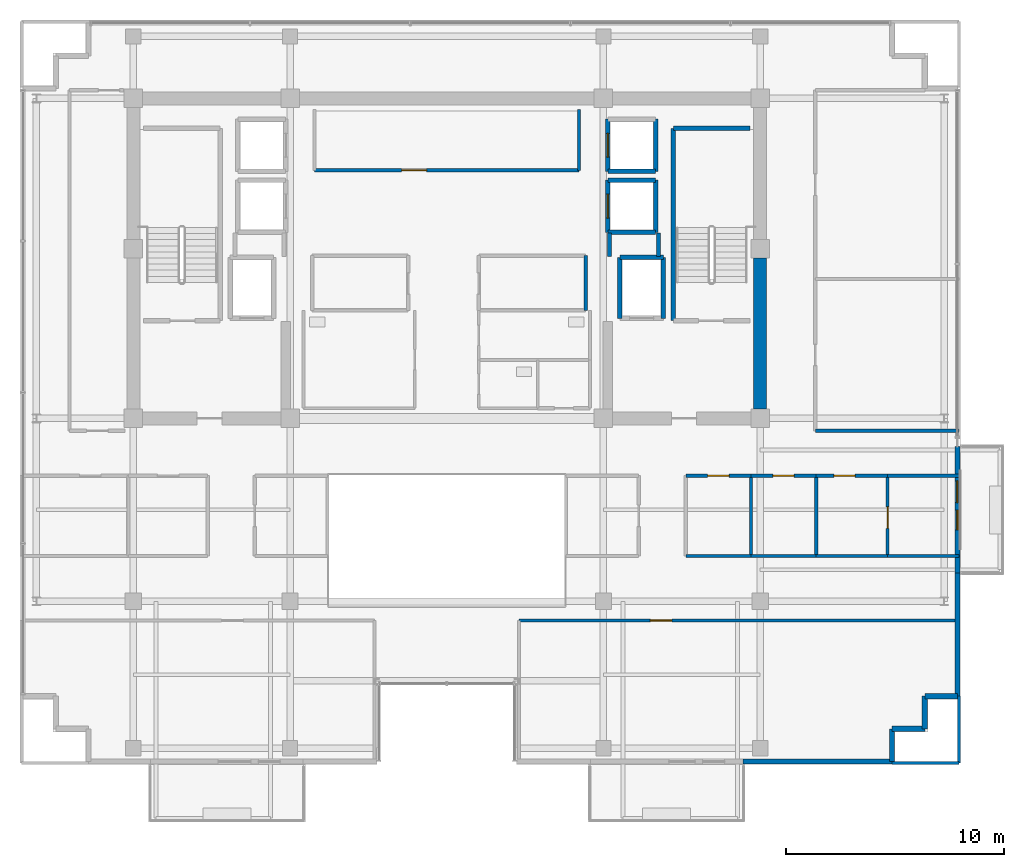
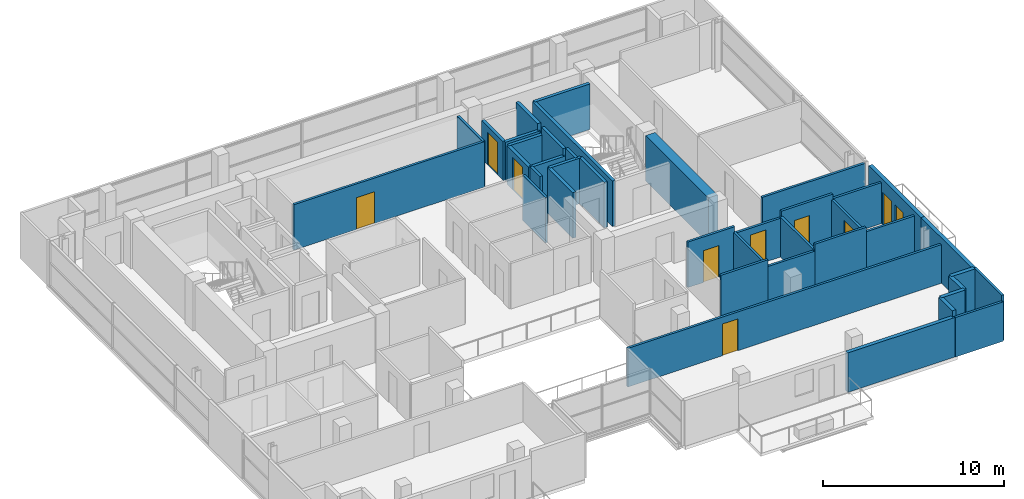
# One storey, part 17 of 22: 40 walls, 9 doors, 1 window, 10 openings.
"""IFC4 building model written with IfcOpenShell, lengths in metres."""

from ifc_helpers import new_model, si_unit, direction, frame, frame_2d, origin, place, context, subcontext, project, spatial, rectangle, extrude, source, transform, mapped, material, layer, layer_set, type_object, element, fill, save


model = new_model("IFC4")

# Units and contexts
model_context = context("Model", 3, precision=1e-05, world=origin(), true_north=direction((0.0, 1.0)))
body_context = subcontext(model_context, "Body", "Model", "MODEL_VIEW")
ifc_project = project(units=[si_unit("LENGTHUNIT", "METRE"), si_unit("AREAUNIT", "SQUARE_METRE"), si_unit("VOLUMEUNIT", "CUBIC_METRE"), si_unit("PLANEANGLEUNIT", "RADIAN"), si_unit("MASSUNIT", "GRAM", prefix="KILO")], contexts=[model_context])

# Site, building, storey
site_placement = place(None, origin())
site = spatial("IfcSite", under=ifc_project, at=site_placement, CompositionType="ELEMENT")
building_placement = place(site_placement, origin())
building = spatial("IfcBuilding", under=site, at=building_placement, Name="Zarnakvel Exchange Tower", CompositionType="ELEMENT")
storey_placement = place(building_placement, frame((0.0, 0.0, 251.800048828125)))
storey = spatial("IfcBuildingStorey", under=building, at=storey_placement, Name="L71", CompositionType="ELEMENT", Elevation=251.800048828125)

# Wall
ifc_material_1 = material(Name="Concrete C50/60", Category="concrete")
ifc_layer_1 = layer(ifc_material_1, 0.60009765625)
ifc_layer_set_1 = layer_set([ifc_layer_1], Name="Concrete C50/60")
wall_type_1 = type_object("IfcWallType", Name="CW-C5", PredefinedType="SHEAR", material=ifc_layer_set_1)
wall_1_placement = place(storey_placement, frame((14.39990234375, -0.77490234375, 0.0), z_axis=(0.0, 0.0, 1.0), x_axis=(0.0, 1.0, 0.0)))
element("IfcWall", 1, at=wall_1_placement, inside=storey, type_object=wall_type_1, Name="L71 Rear Core Shear Wall E1 (CW-C5)", PredefinedType="SHEAR", context=body_context, shape_type="SweptSolid", body=[
    extrude(rectangle(XDim=6.949951171875, YDim=0.60009765625, at=frame_2d((3.47509765625, 0.0))), origin(), (0.0, 0.0, 1.0), 3.074951171875),
])

# Wall, openings, door, window
ifc_material_2 = material(Name="Precast concrete C40/50", Category="concrete")
ifc_layer_2 = layer(ifc_material_2, 0.239990234375)
ifc_layer_set_2 = layer_set([ifc_layer_2], Name="Precast concrete C40/50")
wall_type_2 = type_object("IfcWallType", Name="EW-02", PredefinedType="SOLIDWALL", material=ifc_layer_set_2)
wall_2_placement = place(storey_placement, frame((23.4599609375, -2.5, 0.0), z_axis=(0.0, 0.0, 1.0), x_axis=(0.0, -1.0, 0.0)))
wall_2 = element("IfcWall", 2, at=wall_2_placement, inside=storey, type_object=wall_type_2, Name="L71 Exterior Precast Spandrel Wall EW-BAL-L71-E (EW-02)", PredefinedType="SOLIDWALL", context=body_context, shape_type="SweptSolid", body=[
    extrude(rectangle(XDim=5.800048828125, YDim=0.239990234375, at=frame_2d((2.89990234375, 0.0))), origin(), (0.0, 0.0, 1.0), 3.074951171875),
])
opening_1_placement = place(wall_2_placement, frame((1.56591796875, 0.0, 0.0)))
opening_1 = element("IfcOpeningElement", 3, at=opening_1_placement, cuts=wall_2, Name="Opening BD-L71-03", PredefinedType="OPENING", context=body_context, shape_type="SweptSolid", body=[
    extrude(rectangle(XDim=1.0, YDim=2.199951171875, at=frame_2d((0.5, 1.10009765625))), frame((0.0, 0.1298828125, 0.0), z_axis=(0.0, -1.0, 0.0), x_axis=(1.0, 0.0, 0.0)), (0.0, 0.0, 1.0), 0.260009765625),
])
opening_2_placement = place(wall_2_placement, frame((2.916015625, 0.0, 0.85009765625)))
opening_2 = element("IfcOpeningElement", 4, at=opening_2_placement, cuts=wall_2, Name="Opening WN-06", PredefinedType="OPENING", context=body_context, shape_type="SweptSolid", body=[
    extrude(rectangle(XDim=0.89990234375, YDim=1.35009765625, at=frame_2d((0.449951171875, 0.675048828125))), frame((0.0, 0.1298828125, 0.0), z_axis=(0.0, -1.0, 0.0), x_axis=(1.0, 0.0, 0.0)), (0.0, 0.0, 1.0), 0.260009765625),
])
ifc_material_3 = material(Name="Architectural Bronze Anodised Aluminium", Category="aluminium")
door_type_1 = type_object("IfcDoorType", Name="DT-09", OperationType="NOTDEFINED", PredefinedType="DOOR", material=ifc_material_3)
shared_shape_1 = source(origin(), body_context, "Body", "SweptSolid", [
    extrude(rectangle(XDim=1.0, YDim=2.199951171875, at=frame_2d((0.5, 1.10009765625))), frame((0.0, 0.02490234375, 0.0), z_axis=(0.0, -1.0, 0.0), x_axis=(1.0, 0.0, 0.0)), (0.0, 0.0, 1.0), 0.050048828125),
])
door_1_placement = place(opening_1_placement, origin())
door_1 = element("IfcDoor", 5, at=door_1_placement, inside=storey, type_object=door_type_1, Name="L71 Planted Loggia Balcony Door BD-L71-03", OperationType="SINGLE_SWING_LEFT", OverallHeight=2.199951171875, OverallWidth=1.0, PredefinedType="DOOR", context=body_context, shape_type="MappedRepresentation", body=[
    mapped(shared_shape_1, transform((0.0, 0.0, 0.0), x_axis=(1.0, 0.0, 0.0), y_axis=(0.0, 1.0, 0.0), z_axis=(0.0, 0.0, 1.0), scale=1.0)),
])
fill(opening_1, door_1)
ifc_material_4 = material(Name="Double Low-E Laminated Vision Glass", Category="glass")
window_type = type_object("IfcWindowType", Name="WN-06", PartitioningType="SINGLE_PANEL", PredefinedType="WINDOW", material=ifc_material_4)
shared_shape_2 = source(origin(), body_context, "Body", "SweptSolid", [
    extrude(rectangle(XDim=0.89990234375, YDim=1.35009765625, at=frame_2d((0.449951171875, 0.675048828125))), frame((0.0, 0.030029296875, 0.0), z_axis=(0.0, -1.0, 0.0), x_axis=(1.0, 0.0, 0.0)), (0.0, 0.0, 1.0), 0.06005859375),
])
window_placement = place(opening_2_placement, origin())
window = element("IfcWindow", 6, at=window_placement, inside=storey, type_object=window_type, Name="L71 Loggia Daylight Window (WN-06)", OverallHeight=1.35009765625, OverallWidth=0.89990234375, PartitioningType="SINGLE_PANEL", PredefinedType="WINDOW", context=body_context, shape_type="MappedRepresentation", body=[
    mapped(shared_shape_2, transform((0.0, 0.0, 0.0), x_axis=(1.0, 0.0, 0.0), y_axis=(0.0, 1.0, 0.0), z_axis=(0.0, 0.0, 1.0), scale=1.0)),
])
fill(opening_2, window)

# Walls
wall_3_placement = place(storey_placement, frame((23.4599609375, -13.9599609375, 0.0), z_axis=(0.0, 0.0, 1.0), x_axis=(0.0, 1.0, 0.0)))
element("IfcWall", 7, at=wall_3_placement, inside=storey, type_object=wall_type_2, Name="L71 Exterior Precast Spandrel Wall EWC-L71-10 (EW-02)", PredefinedType="SOLIDWALL", context=body_context, shape_type="SweptSolid", body=[
    extrude(rectangle(XDim=5.659912109375, YDim=0.239990234375, at=frame_2d((2.830078125, 0.0))), origin(), (0.0, 0.0, 1.0), 3.074951171875),
])
for number, where, z_axis, x_axis, name in (
    (8, (21.9599609375, -13.9599609375, 0.0), (0.0, 0.0, 1.0), (1.0, 0.0, 0.0), "L71 Exterior Precast Spandrel Wall EWC-L71-11 (EW-02)"),
    (9, (21.9599609375, -15.4599609375, 0.0), (0.0, 0.0, 1.0), (0.0, 1.0, 0.0), "L71 Exterior Precast Spandrel Wall EWC-L71-12 (EW-02)"),
    (10, (20.4599609375, -15.4599609375, 0.0), (0.0, 0.0, 1.0), (1.0, 0.0, 0.0), "L71 Exterior Precast Spandrel Wall EWC-L71-13 (EW-02)"),
    (11, (20.4599609375, -16.9599609375, 0.0), (0.0, 0.0, 1.0), (0.0, 1.0, 0.0), "L71 Exterior Precast Spandrel Wall EWC-L71-14 (EW-02)"),
):
    element("IfcWall", number, at=place(storey_placement, frame(where, z_axis=z_axis, x_axis=x_axis)), inside=storey, type_object=wall_type_2, Name=name, PredefinedType="SOLIDWALL", context=body_context, shape_type="SweptSolid", body=[
        extrude(rectangle(XDim=1.5, YDim=0.239990234375, at=frame_2d((0.75, 0.0))), origin(), (0.0, 0.0, 1.0), 3.074951171875),
    ])
wall_4_placement = place(storey_placement, frame((13.60009765625, -16.9599609375, 0.0), z_axis=(0.0, 0.0, 1.0), x_axis=(1.0, 0.0, 0.0)))
element("IfcWall", 12, at=wall_4_placement, inside=storey, type_object=wall_type_2, Name="L71 Exterior Precast Spandrel Wall EWC-L71-15 (EW-02)", PredefinedType="SOLIDWALL", context=body_context, shape_type="SweptSolid", body=[
    extrude(rectangle(XDim=6.85986328125, YDim=0.239990234375, at=frame_2d((3.429931640625, 0.0))), origin(), (0.0, 0.0, 1.0), 2.6650390625),
])

# Wall, opening, door
ifc_material_5 = material(Name="Fire-Rated Gypsum Stud Partition", Category="gypsum")
ifc_layer_3 = layer(ifc_material_5, 0.14990234375)
ifc_layer_set_3 = layer_set([ifc_layer_3], Name="Fire-Rated Gypsum Stud Partition")
wall_type_3 = type_object("IfcWallType", Name="PT-01", PredefinedType="PARTITIONING", material=ifc_layer_set_3)
wall_5_placement = place(storey_placement, frame((6.080078125, 10.199951171875, 0.0), z_axis=(0.0, 0.0, 1.0), x_axis=(-1.0, 0.0, 0.0)))
wall_5 = element("IfcWall", 13, at=wall_5_placement, inside=storey, type_object=wall_type_3, Name="L71 Partition Wall PWALL-L71-011 (PT-01)", PredefinedType="PARTITIONING", context=body_context, shape_type="SweptSolid", body=[
    extrude(rectangle(XDim=12.16015625, YDim=0.14990234375, at=frame_2d((6.080078125, 0.0))), origin(), (0.0, 0.0, 1.0), 3.074951171875),
])
opening_3_placement = place(wall_5_placement, frame((7.0048828125, 0.0, 0.0)))
opening_3 = element("IfcOpeningElement", 14, at=opening_3_placement, cuts=wall_5, Name="Opening D-L71-05", PredefinedType="OPENING", context=body_context, shape_type="SweptSolid", body=[
    extrude(rectangle(XDim=1.14990234375, YDim=2.14990234375, at=frame_2d((0.574951171875, 1.074951171875))), frame((0.0, 0.0849609375, 0.0), z_axis=(0.0, -1.0, 0.0), x_axis=(1.0, 0.0, 0.0)), (0.0, 0.0, 1.0), 0.169921875),
])
ifc_material_6 = material(Name="Painted Galvanised Steel S355", Category="steel")
door_type_2 = type_object("IfcDoorType", Name="DT-04", OperationType="NOTDEFINED", PredefinedType="DOOR", material=ifc_material_6)
shared_shape_3 = source(origin(), body_context, "Body", "SweptSolid", [
    extrude(rectangle(XDim=1.14990234375, YDim=2.14990234375, at=frame_2d((0.574951171875, 1.074951171875))), frame((0.0, 0.02490234375, 0.0), z_axis=(0.0, -1.0, 0.0), x_axis=(1.0, 0.0, 0.0)), (0.0, 0.0, 1.0), 0.050048828125),
])
door_2_placement = place(opening_3_placement, origin())
door_2 = element("IfcDoor", 15, at=door_2_placement, inside=storey, type_object=door_type_2, Name="L71 Market Data Archive Suite Door D-L71-05", OperationType="SINGLE_SWING_LEFT", OverallHeight=2.14990234375, OverallWidth=1.14990234375, PredefinedType="DOOR", context=body_context, shape_type="MappedRepresentation", body=[
    mapped(shared_shape_3, transform((0.0, 0.0, 0.0), x_axis=(1.0, 0.0, 0.0), y_axis=(0.0, 1.0, 0.0), z_axis=(0.0, 0.0, 1.0), scale=1.0)),
])
fill(opening_3, door_2)

# Walls
wall_6_placement = place(storey_placement, frame((6.080078125, 13.0, 0.0), z_axis=(0.0, 0.0, 1.0), x_axis=(0.0, -1.0, 0.0)))
element("IfcWall", 16, at=wall_6_placement, inside=storey, type_object=wall_type_3, Name="L71 Partition Wall PWALL-L71-013 (PT-01)", PredefinedType="PARTITIONING", context=body_context, shape_type="SweptSolid", body=[
    extrude(rectangle(XDim=2.800048828125, YDim=0.14990234375, at=frame_2d((1.39990234375, 0.0))), origin(), (0.0, 0.0, 1.0), 3.074951171875),
])
wall_7_placement = place(storey_placement, frame((6.3798828125, 6.280029296875, 0.0), z_axis=(0.0, 0.0, 1.0), x_axis=(0.0, -1.0, 0.0)))
element("IfcWall", 17, at=wall_7_placement, inside=storey, type_object=wall_type_3, Name="L71 Partition Wall PWALL-L71-021 (PT-01)", PredefinedType="PARTITIONING", context=body_context, shape_type="SweptSolid", body=[
    extrude(rectangle(XDim=2.52001953125, YDim=0.14990234375, at=frame_2d((1.260009765625, 0.0))), origin(), (0.0, 0.0, 1.0), 3.074951171875),
])
wall_8_placement = place(storey_placement, frame((13.9755859375, -7.52001953125, 0.0), z_axis=(0.0, 0.0, 1.0), x_axis=(-1.0, 0.0, 0.0)))
element("IfcWall", 18, at=wall_8_placement, inside=storey, type_object=wall_type_3, Name="L71 Partition Wall PWALL-L71-044 (PT-01)", PredefinedType="PARTITIONING", context=body_context, shape_type="SweptSolid", body=[
    extrude(rectangle(XDim=2.99560546875, YDim=0.14990234375, at=frame_2d((1.497802734375, 0.0))), origin(), (0.0, 0.0, 1.0), 3.074951171875),
])

# Wall, opening, door
wall_9_placement = place(storey_placement, frame((10.97998046875, -3.830078125, 0.0), z_axis=(0.0, 0.0, 1.0), x_axis=(1.0, 0.0, 0.0)))
wall_9 = element("IfcWall", 19, at=wall_9_placement, inside=storey, type_object=wall_type_3, Name="L71 Partition Wall PWALL-L71-045 (PT-01)", PredefinedType="PARTITIONING", context=body_context, shape_type="SweptSolid", body=[
    extrude(rectangle(XDim=2.99560546875, YDim=0.14990234375, at=frame_2d((1.497802734375, 0.0))), origin(), (0.0, 0.0, 1.0), 3.074951171875),
])
opening_4_placement = place(wall_9_placement, frame((1.008056640625, 0.0, 0.0)))
opening_4 = element("IfcOpeningElement", 20, at=opening_4_placement, cuts=wall_9, Name="Opening D-L71-15", PredefinedType="OPENING", context=body_context, shape_type="SweptSolid", body=[
    extrude(rectangle(XDim=0.97998046875, YDim=2.14990234375, at=frame_2d((0.489990234375, 1.074951171875))), frame((0.0, 0.0849609375, 0.0), z_axis=(0.0, -1.0, 0.0), x_axis=(1.0, 0.0, 0.0)), (0.0, 0.0, 1.0), 0.169921875),
])
ifc_material_7 = material(Name="Timber Acoustic Veneer", Category="wood")
door_type_3 = type_object("IfcDoorType", Name="DT-05", OperationType="NOTDEFINED", PredefinedType="DOOR", material=ifc_material_7)
shared_shape_4 = source(origin(), body_context, "Body", "SweptSolid", [
    extrude(rectangle(XDim=0.97998046875, YDim=2.14990234375, at=frame_2d((0.489990234375, 1.074951171875))), frame((0.0, 0.02490234375, 0.0), z_axis=(0.0, -1.0, 0.0), x_axis=(1.0, 0.0, 0.0)), (0.0, 0.0, 1.0), 0.050048828125),
])
door_3_placement = place(opening_4_placement, origin())
door_3 = element("IfcDoor", 21, at=door_3_placement, inside=storey, type_object=door_type_3, Name="L71 Boardroom Door D-L71-15", OperationType="SINGLE_SWING_LEFT", OverallHeight=2.14990234375, OverallWidth=0.97998046875, PredefinedType="DOOR", context=body_context, shape_type="MappedRepresentation", body=[
    mapped(shared_shape_4, transform((0.0, 0.0, 0.0), x_axis=(1.0, 0.0, 0.0), y_axis=(0.0, 1.0, 0.0), z_axis=(0.0, 0.0, 1.0), scale=1.0)),
])
fill(opening_4, door_3)

# Walls
wall_10_placement = place(storey_placement, frame((13.9755859375, -3.830078125, 0.0), z_axis=(0.0, 0.0, 1.0), x_axis=(0.0, -1.0, 0.0)))
element("IfcWall", 22, at=wall_10_placement, inside=storey, type_object=wall_type_3, Name="L71 Partition Wall PWALL-L71-047 (PT-01)", PredefinedType="PARTITIONING", context=body_context, shape_type="SweptSolid", body=[
    extrude(rectangle(XDim=3.68994140625, YDim=0.14990234375, at=frame_2d((1.844970703125, 0.0))), origin(), (0.0, 0.0, 1.0), 2.704833984375),
])
wall_11_placement = place(storey_placement, frame((16.971435546875, -7.52001953125, 0.0), z_axis=(0.0, 0.0, 1.0), x_axis=(-1.0, 0.0, 0.0)))
element("IfcWall", 23, at=wall_11_placement, inside=storey, type_object=wall_type_3, Name="L71 Partition Wall PWALL-L71-048 (PT-01)", PredefinedType="PARTITIONING", context=body_context, shape_type="SweptSolid", body=[
    extrude(rectangle(XDim=2.995849609375, YDim=0.14990234375, at=frame_2d((1.498046875, 0.0))), origin(), (0.0, 0.0, 1.0), 2.614990234375),
])

# Wall, opening, door
wall_12_placement = place(storey_placement, frame((13.9755859375, -3.830078125, 0.0), z_axis=(0.0, 0.0, 1.0), x_axis=(1.0, 0.0, 0.0)))
wall_12 = element("IfcWall", 24, at=wall_12_placement, inside=storey, type_object=wall_type_3, Name="L71 Partition Wall PWALL-L71-049 (PT-01)", PredefinedType="PARTITIONING", context=body_context, shape_type="SweptSolid", body=[
    extrude(rectangle(XDim=2.995849609375, YDim=0.14990234375, at=frame_2d((1.498046875, 0.0))), origin(), (0.0, 0.0, 1.0), 2.614990234375),
])
opening_5_placement = place(wall_12_placement, frame((1.00830078125, 0.0, 0.0)))
opening_5 = element("IfcOpeningElement", 25, at=opening_5_placement, cuts=wall_12, Name="Opening D-L71-16", PredefinedType="OPENING", context=body_context, shape_type="SweptSolid", body=[
    extrude(rectangle(XDim=0.97998046875, YDim=2.14990234375, at=frame_2d((0.489990234375, 1.074951171875))), frame((0.0, 0.0849609375, 0.0), z_axis=(0.0, -1.0, 0.0), x_axis=(1.0, 0.0, 0.0)), (0.0, 0.0, 1.0), 0.169921875),
])
door_4_placement = place(opening_5_placement, origin())
door_4 = element("IfcDoor", 26, at=door_4_placement, inside=storey, type_object=door_type_3, Name="L71 Conference Room Door D-L71-16", OperationType="SINGLE_SWING_RIGHT", OverallHeight=2.14990234375, OverallWidth=0.97998046875, PredefinedType="DOOR", context=body_context, shape_type="MappedRepresentation", body=[
    mapped(shared_shape_4, transform((0.0, 0.0, 0.0), x_axis=(1.0, 0.0, 0.0), y_axis=(0.0, 1.0, 0.0), z_axis=(0.0, 0.0, 1.0), scale=1.0)),
])
fill(opening_5, door_4)

# Walls
wall_13_placement = place(storey_placement, frame((16.971435546875, -3.830078125, 0.0), z_axis=(0.0, 0.0, 1.0), x_axis=(0.0, -1.0, 0.0)))
element("IfcWall", 27, at=wall_13_placement, inside=storey, type_object=wall_type_3, Name="L71 Partition Wall PWALL-L71-050 (PT-01)", PredefinedType="PARTITIONING", context=body_context, shape_type="SweptSolid", body=[
    extrude(rectangle(XDim=3.68994140625, YDim=0.14990234375, at=frame_2d((1.844970703125, 0.0))), origin(), (0.0, 0.0, 1.0), 2.704833984375),
])
wall_14_placement = place(storey_placement, frame((20.250732421875, -7.52001953125, 0.0), z_axis=(0.0, 0.0, 1.0), x_axis=(-1.0, 0.0, 0.0)))
element("IfcWall", 28, at=wall_14_placement, inside=storey, type_object=wall_type_3, Name="L71 Partition Wall PWALL-L71-051 (PT-01)", PredefinedType="PARTITIONING", context=body_context, shape_type="SweptSolid", body=[
    extrude(rectangle(XDim=3.279296875, YDim=0.14990234375, at=frame_2d((1.6396484375, 0.0))), origin(), (0.0, 0.0, 1.0), 3.074951171875),
])

# Wall, opening, door
wall_15_placement = place(storey_placement, frame((16.971435546875, -3.830078125, 0.0), z_axis=(0.0, 0.0, 1.0), x_axis=(1.0, 0.0, 0.0)))
wall_15 = element("IfcWall", 29, at=wall_15_placement, inside=storey, type_object=wall_type_3, Name="L71 Partition Wall PWALL-L71-052 (PT-01)", PredefinedType="PARTITIONING", context=body_context, shape_type="SweptSolid", body=[
    extrude(rectangle(XDim=3.279296875, YDim=0.14990234375, at=frame_2d((1.6396484375, 0.0))), origin(), (0.0, 0.0, 1.0), 3.074951171875),
])
opening_6_placement = place(wall_15_placement, frame((0.814697265625, 0.0, 0.0)))
opening_6 = element("IfcOpeningElement", 30, at=opening_6_placement, cuts=wall_15, Name="Opening D-L71-17", PredefinedType="OPENING", context=body_context, shape_type="SweptSolid", body=[
    extrude(rectangle(XDim=0.97998046875, YDim=2.14990234375, at=frame_2d((0.489990234375, 1.074951171875))), frame((0.0, 0.0849609375, 0.0), z_axis=(0.0, -1.0, 0.0), x_axis=(1.0, 0.0, 0.0)), (0.0, 0.0, 1.0), 0.169921875),
])
door_5_placement = place(opening_6_placement, origin())
door_5 = element("IfcDoor", 31, at=door_5_placement, inside=storey, type_object=door_type_3, Name="L71 Executive Pantry Door D-L71-17", OperationType="SINGLE_SWING_LEFT", OverallHeight=2.14990234375, OverallWidth=0.97998046875, PredefinedType="DOOR", context=body_context, shape_type="MappedRepresentation", body=[
    mapped(shared_shape_4, transform((0.0, 0.0, 0.0), x_axis=(1.0, 0.0, 0.0), y_axis=(0.0, 1.0, 0.0), z_axis=(0.0, 0.0, 1.0), scale=1.0)),
])
fill(opening_6, door_5)

wall_16_placement = place(storey_placement, frame((20.250732421875, -3.830078125, 0.0), z_axis=(0.0, 0.0, 1.0), x_axis=(0.0, -1.0, 0.0)))
wall_16 = element("IfcWall", 32, at=wall_16_placement, inside=storey, type_object=wall_type_3, Name="L71 Partition Wall PWALL-L71-053 (PT-01)", PredefinedType="PARTITIONING", context=body_context, shape_type="SweptSolid", body=[
    extrude(rectangle(XDim=3.68994140625, YDim=0.14990234375, at=frame_2d((1.844970703125, 0.0))), origin(), (0.0, 0.0, 1.0), 2.704833984375),
])
opening_7_placement = place(wall_16_placement, frame((1.43505859375, 0.0, 0.0)))
opening_7 = element("IfcOpeningElement", 33, at=opening_7_placement, cuts=wall_16, Name="Opening D-L71-18", PredefinedType="OPENING", context=body_context, shape_type="SweptSolid", body=[
    extrude(rectangle(XDim=0.97998046875, YDim=2.14990234375, at=frame_2d((0.489990234375, 1.074951171875))), frame((0.0, 0.0849609375, 0.0), z_axis=(0.0, -1.0, 0.0), x_axis=(1.0, 0.0, 0.0)), (0.0, 0.0, 1.0), 0.169921875),
])
door_6_placement = place(opening_7_placement, origin())
door_6 = element("IfcDoor", 34, at=door_6_placement, inside=storey, type_object=door_type_3, Name="L71 Legal Records Office Door D-L71-18", OperationType="SINGLE_SWING_RIGHT", OverallHeight=2.14990234375, OverallWidth=0.97998046875, PredefinedType="DOOR", context=body_context, shape_type="MappedRepresentation", body=[
    mapped(shared_shape_4, transform((0.0, 0.0, 0.0), x_axis=(1.0, 0.0, 0.0), y_axis=(0.0, 1.0, 0.0), z_axis=(0.0, 0.0, 1.0), scale=1.0)),
])
fill(opening_7, door_6)

# Walls
for number, where, z_axis, x_axis, name in (
    (35, (23.530029296875, -7.52001953125, 0.0), (0.0, 0.0, 1.0), (-1.0, 0.0, 0.0), "L71 Partition Wall PWALL-L71-054 (PT-01)"),
    (36, (20.250732421875, -3.830078125, 0.0), (0.0, 0.0, 1.0), (1.0, 0.0, 0.0), "L71 Partition Wall PWALL-L71-055 (PT-01)"),
):
    element("IfcWall", number, at=place(storey_placement, frame(where, z_axis=z_axis, x_axis=x_axis)), inside=storey, type_object=wall_type_3, Name=name, PredefinedType="PARTITIONING", context=body_context, shape_type="SweptSolid", body=[
        extrude(rectangle(XDim=3.279296875, YDim=0.14990234375, at=frame_2d((1.6396484375, 0.0))), origin(), (0.0, 0.0, 1.0), 2.764892578125),
    ])
wall_17_placement = place(storey_placement, frame((23.530029296875, -17.030029296875, 0.0), z_axis=(0.0, 0.0, 1.0), x_axis=(-1.0, 0.0, 0.0)))
element("IfcWall", 37, at=wall_17_placement, inside=storey, type_object=wall_type_3, Name="L71 Partition Wall PWALL-L71-057 (PT-01)", PredefinedType="PARTITIONING", context=body_context, shape_type="SweptSolid", body=[
    extrude(rectangle(XDim=3.070068359375, YDim=0.14990234375, at=frame_2d((1.53515625, 0.0))), origin(), (0.0, 0.0, 1.0), 2.6650390625),
])

# Wall, opening, door
wall_18_placement = place(storey_placement, frame((3.320068359375, -10.47998046875, 0.0), z_axis=(0.0, 0.0, 1.0), x_axis=(1.0, 0.0, 0.0)))
wall_18 = element("IfcWall", 38, at=wall_18_placement, inside=storey, type_object=wall_type_3, Name="L71 Partition Wall PWALL-L71-058 (PT-01)", PredefinedType="PARTITIONING", context=body_context, shape_type="SweptSolid", body=[
    extrude(rectangle(XDim=20.2099609375, YDim=0.14990234375, at=frame_2d((10.10498046875, 0.0))), origin(), (0.0, 0.0, 1.0), 2.614990234375),
])
opening_8_placement = place(wall_18_placement, frame((6.0400390625, 0.0, 0.0)))
opening_8 = element("IfcOpeningElement", 39, at=opening_8_placement, cuts=wall_18, Name="Opening D-L71-19", PredefinedType="OPENING", context=body_context, shape_type="SweptSolid", body=[
    extrude(rectangle(XDim=0.97998046875, YDim=2.14990234375, at=frame_2d((0.489990234375, 1.074951171875))), frame((0.0, 0.0849609375, 0.0), z_axis=(0.0, -1.0, 0.0), x_axis=(1.0, 0.0, 0.0)), (0.0, 0.0, 1.0), 0.169921875),
])
door_7_placement = place(opening_8_placement, origin())
door_7 = element("IfcDoor", 40, at=door_7_placement, inside=storey, type_object=door_type_3, Name="L71 Corporate Advisory Suite Door D-L71-19", OperationType="SINGLE_SWING_LEFT", OverallHeight=2.14990234375, OverallWidth=0.97998046875, PredefinedType="DOOR", context=body_context, shape_type="MappedRepresentation", body=[
    mapped(shared_shape_4, transform((0.0, 0.0, 0.0), x_axis=(1.0, 0.0, 0.0), y_axis=(0.0, 1.0, 0.0), z_axis=(0.0, 0.0, 1.0), scale=1.0)),
])
fill(opening_8, door_7)

# Walls
wall_19_placement = place(storey_placement, frame((23.530029296875, -13.9599609375, 0.0), z_axis=(0.0, 0.0, 1.0), x_axis=(0.0, -1.0, 0.0)))
element("IfcWall", 41, at=wall_19_placement, inside=storey, type_object=wall_type_3, Name="L71 Partition Wall PWALL-L71-060 (PT-01)", PredefinedType="PARTITIONING", context=body_context, shape_type="SweptSolid", body=[
    extrude(rectangle(XDim=3.070068359375, YDim=0.14990234375, at=frame_2d((1.53515625, 0.0))), origin(), (0.0, 0.0, 1.0), 3.074951171875),
])
wall_20_placement = place(storey_placement, frame((23.530029296875, -1.77001953125, 0.0), z_axis=(0.0, 0.0, 1.0), x_axis=(-1.0, 0.0, 0.0)))
element("IfcWall", 42, at=wall_20_placement, inside=storey, type_object=wall_type_3, Name="L71 Partition Wall PWALL-L71-072 (PT-01)", PredefinedType="PARTITIONING", context=body_context, shape_type="SweptSolid", body=[
    extrude(rectangle(XDim=6.60009765625, YDim=0.14990234375, at=frame_2d((3.300048828125, 0.0))), origin(), (0.0, 0.0, 1.0), 2.764892578125),
])
ifc_layer_4 = layer(ifc_material_5, 0.179931640625)
ifc_layer_set_4 = layer_set([ifc_layer_4], Name="Fire-Rated Gypsum Stud Partition")
wall_type_4 = type_object("IfcWallType", Name="PT-02", PredefinedType="PARTITIONING", material=ifc_layer_set_4)
wall_21_placement = place(storey_placement, frame((7.469970703125, 6.239990234375, 0.0), z_axis=(0.0, 0.0, 1.0), x_axis=(0.0, 1.0, 0.0)))
element("IfcWall", 43, at=wall_21_placement, inside=storey, type_object=wall_type_4, Name="L71 Partition Wall PWALL-L71-009 (PT-02)", PredefinedType="PARTITIONING", context=body_context, shape_type="SweptSolid", body=[
    extrude(rectangle(XDim=1.090087890625, YDim=0.179931640625, at=frame_2d((0.544921875, 0.0))), origin(), (0.0, 0.0, 1.0), 2.614990234375),
])
wall_22_placement = place(storey_placement, frame((9.72998046875, 7.330078125, 0.0), z_axis=(0.0, 0.0, 1.0), x_axis=(0.0, -1.0, 0.0)))
element("IfcWall", 44, at=wall_22_placement, inside=storey, type_object=wall_type_4, Name="L71 Partition Wall PWALL-L71-010 (PT-02)", PredefinedType="PARTITIONING", context=body_context, shape_type="SweptSolid", body=[
    extrude(rectangle(XDim=1.090087890625, YDim=0.179931640625, at=frame_2d((0.544921875, 0.0))), origin(), (0.0, 0.0, 1.0), 3.074951171875),
])
ifc_material_8 = material(Name="Concrete C40/50", Category="concrete")
ifc_layer_5 = layer(ifc_material_8, 0.199951171875)
ifc_layer_set_5 = layer_set([ifc_layer_5], Name="Concrete C40/50")
wall_type_5 = type_object("IfcWallType", Name="SW-01", PredefinedType="SOLIDWALL", material=ifc_layer_set_5)
wall_23_placement = place(storey_placement, frame((7.949951171875, 6.199951171875, 0.0), z_axis=(0.0, 0.0, 1.0), x_axis=(1.0, 0.0, 0.0)))
element("IfcWall", 45, at=wall_23_placement, inside=storey, type_object=wall_type_5, Name="L71 FL-02 Hoistway Wall North", PredefinedType="SOLIDWALL", context=body_context, shape_type="SweptSolid", body=[
    extrude(rectangle(XDim=2.0, YDim=0.199951171875, at=frame_2d((1.0, 0.0))), origin(), (0.0, 0.0, 1.0), 3.074951171875),
])
for number, where, z_axis, x_axis, name in (
    (46, (7.949951171875, 3.39990234375, 0.0), (0.0, 0.0, 1.0), (0.0, 1.0, 0.0), "L71 FL-02 Hoistway Wall West"),
    (47, (9.949951171875, 6.199951171875, 0.0), (0.0, 0.0, 1.0), (0.0, -1.0, 0.0), "L71 FL-02 Hoistway Wall East"),
):
    element("IfcWall", number, at=place(storey_placement, frame(where, z_axis=z_axis, x_axis=x_axis)), inside=storey, type_object=wall_type_5, Name=name, PredefinedType="SOLIDWALL", context=body_context, shape_type="SweptSolid", body=[
        extrude(rectangle(XDim=2.800048828125, YDim=0.199951171875, at=frame_2d((1.39990234375, 0.0))), origin(), (0.0, 0.0, 1.0), 3.074951171875),
    ])
for number, where, z_axis, x_axis, name in (
    (48, (9.60009765625, 7.35009765625, 0.0), (0.0, 0.0, 1.0), (-1.0, 0.0, 0.0), "L71 PL-11 Hoistway Wall South"),
    (49, (7.39990234375, 9.75, 0.0), (0.0, 0.0, 1.0), (1.0, 0.0, 0.0), "L71 PL-11 Hoistway Wall North"),
):
    element("IfcWall", number, at=place(storey_placement, frame(where, z_axis=z_axis, x_axis=x_axis)), inside=storey, type_object=wall_type_5, Name=name, PredefinedType="SOLIDWALL", context=body_context, shape_type="SweptSolid", body=[
        extrude(rectangle(XDim=2.2001953125, YDim=0.199951171875, at=frame_2d((1.10009765625, 0.0))), origin(), (0.0, 0.0, 1.0), 2.614990234375),
    ])

# Wall, opening, door
wall_24_placement = place(storey_placement, frame((7.39990234375, 7.35009765625, 0.0), z_axis=(0.0, 0.0, 1.0), x_axis=(0.0, 1.0, 0.0)))
wall_24 = element("IfcWall", 50, at=wall_24_placement, inside=storey, type_object=wall_type_5, Name="L71 PL-11 Hoistway Wall West", PredefinedType="SOLIDWALL", context=body_context, shape_type="SweptSolid", body=[
    extrude(rectangle(XDim=2.39990234375, YDim=0.199951171875, at=frame_2d((1.199951171875, 0.0))), origin(), (0.0, 0.0, 1.0), 2.614990234375),
])
opening_9_placement = place(wall_24_placement, frame((0.64990234375, 0.0, 0.0)))
opening_9 = element("IfcOpeningElement", 51, at=opening_9_placement, cuts=wall_24, Name="Opening LD-PL-11-L71", PredefinedType="OPENING", context=body_context, shape_type="SweptSolid", body=[
    extrude(rectangle(XDim=1.10009765625, YDim=2.199951171875, at=frame_2d((0.550048828125, 1.10009765625))), frame((0.0, 0.10986328125, 0.0), z_axis=(0.0, -1.0, 0.0), x_axis=(1.0, 0.0, 0.0)), (0.0, 0.0, 1.0), 0.219970703125),
])
door_type_4 = type_object("IfcDoorType", Name="LDT-02", OperationType="NOTDEFINED", PredefinedType="DOOR", material=ifc_material_3)
shared_shape_5 = source(origin(), body_context, "Body", "SweptSolid", [
    extrude(rectangle(XDim=1.10009765625, YDim=2.199951171875, at=frame_2d((0.550048828125, 1.10009765625))), frame((0.0, 0.02490234375, 0.0), z_axis=(0.0, -1.0, 0.0), x_axis=(1.0, 0.0, 0.0)), (0.0, 0.0, 1.0), 0.050048828125),
])
door_8_placement = place(opening_9_placement, origin())
door_8 = element("IfcDoor", 52, at=door_8_placement, inside=storey, type_object=door_type_4, Name="L71 PL-11 Lift Landing Door LD-PL-11-L71", OperationType="DOUBLE_DOOR_SLIDING", OverallHeight=2.199951171875, OverallWidth=1.10009765625, PredefinedType="DOOR", context=body_context, shape_type="MappedRepresentation", body=[
    mapped(shared_shape_5, transform((0.0, 0.0, 0.0), x_axis=(1.0, 0.0, 0.0), y_axis=(0.0, 1.0, 0.0), z_axis=(0.0, 0.0, 1.0), scale=1.0)),
])
fill(opening_9, door_8)

# Walls
wall_25_placement = place(storey_placement, frame((9.60009765625, 9.75, 0.0), z_axis=(0.0, 0.0, 1.0), x_axis=(0.0, -1.0, 0.0)))
element("IfcWall", 53, at=wall_25_placement, inside=storey, type_object=wall_type_5, Name="L71 PL-11 Hoistway Wall East", PredefinedType="SOLIDWALL", context=body_context, shape_type="SweptSolid", body=[
    extrude(rectangle(XDim=2.39990234375, YDim=0.199951171875, at=frame_2d((1.199951171875, 0.0))), origin(), (0.0, 0.0, 1.0), 3.074951171875),
])
wall_26_placement = place(storey_placement, frame((9.60009765625, 10.14990234375, 0.0), z_axis=(0.0, 0.0, 1.0), x_axis=(-1.0, 0.0, 0.0)))
element("IfcWall", 54, at=wall_26_placement, inside=storey, type_object=wall_type_5, Name="L71 PL-12 Hoistway Wall South", PredefinedType="SOLIDWALL", context=body_context, shape_type="SweptSolid", body=[
    extrude(rectangle(XDim=2.2001953125, YDim=0.199951171875, at=frame_2d((1.10009765625, 0.0))), origin(), (0.0, 0.0, 1.0), 2.614990234375),
])

# Wall, opening, door
wall_27_placement = place(storey_placement, frame((7.39990234375, 10.14990234375, 0.0), z_axis=(0.0, 0.0, 1.0), x_axis=(0.0, 1.0, 0.0)))
wall_27 = element("IfcWall", 55, at=wall_27_placement, inside=storey, type_object=wall_type_5, Name="L71 PL-12 Hoistway Wall West", PredefinedType="SOLIDWALL", context=body_context, shape_type="SweptSolid", body=[
    extrude(rectangle(XDim=2.400146484375, YDim=0.199951171875, at=frame_2d((1.2001953125, 0.0))), origin(), (0.0, 0.0, 1.0), 2.614990234375),
])
opening_10_placement = place(wall_27_placement, frame((0.64990234375, 0.0, 0.0)))
opening_10 = element("IfcOpeningElement", 56, at=opening_10_placement, cuts=wall_27, Name="Opening LD-PL-12-L71", PredefinedType="OPENING", context=body_context, shape_type="SweptSolid", body=[
    extrude(rectangle(XDim=1.10009765625, YDim=2.199951171875, at=frame_2d((0.550048828125, 1.10009765625))), frame((0.0, 0.10986328125, 0.0), z_axis=(0.0, -1.0, 0.0), x_axis=(1.0, 0.0, 0.0)), (0.0, 0.0, 1.0), 0.219970703125),
])
door_9_placement = place(opening_10_placement, origin())
door_9 = element("IfcDoor", 57, at=door_9_placement, inside=storey, type_object=door_type_4, Name="L71 PL-12 Lift Landing Door LD-PL-12-L71", OperationType="DOUBLE_DOOR_SLIDING", OverallHeight=2.199951171875, OverallWidth=1.10009765625, PredefinedType="DOOR", context=body_context, shape_type="MappedRepresentation", body=[
    mapped(shared_shape_5, transform((0.0, 0.0, 0.0), x_axis=(1.0, 0.0, 0.0), y_axis=(0.0, 1.0, 0.0), z_axis=(0.0, 0.0, 1.0), scale=1.0)),
])
fill(opening_10, door_9)

# Walls
wall_28_placement = place(storey_placement, frame((9.60009765625, 12.550048828125, 0.0), z_axis=(0.0, 0.0, 1.0), x_axis=(0.0, -1.0, 0.0)))
element("IfcWall", 58, at=wall_28_placement, inside=storey, type_object=wall_type_5, Name="L71 PL-12 Hoistway Wall East", PredefinedType="SOLIDWALL", context=body_context, shape_type="SweptSolid", body=[
    extrude(rectangle(XDim=2.400146484375, YDim=0.199951171875, at=frame_2d((1.2001953125, 0.0))), origin(), (0.0, 0.0, 1.0), 3.074951171875),
])
ifc_layer_6 = layer(ifc_material_8, 0.199951171875)
ifc_layer_set_6 = layer_set([ifc_layer_6], Name="Concrete C40/50")
wall_type_6 = type_object("IfcWallType", Name="SW-02", PredefinedType="SOLIDWALL", material=ifc_layer_set_6)
wall_29_placement = place(storey_placement, frame((10.409912109375, 12.1298828125, 0.0), z_axis=(0.0, 0.0, 1.0), x_axis=(1.0, 0.0, 0.0)))
element("IfcWall", 59, at=wall_29_placement, inside=storey, type_object=wall_type_6, Name="L71 Stairwell Core Wall PWALL-L71-005 (SW-02)", PredefinedType="SOLIDWALL", context=body_context, shape_type="SweptSolid", body=[
    extrude(rectangle(XDim=3.52001953125, YDim=0.199951171875, at=frame_2d((1.760009765625, 0.0))), origin(), (0.0, 0.0, 1.0), 3.074951171875),
])
wall_30_placement = place(storey_placement, frame((10.409912109375, 3.2900390625, 0.0), z_axis=(0.0, 0.0, 1.0), x_axis=(0.0, 1.0, 0.0)))
element("IfcWall", 60, at=wall_30_placement, inside=storey, type_object=wall_type_6, Name="L71 Stairwell Core Wall PWALL-L71-006 (SW-02)", PredefinedType="SOLIDWALL", context=body_context, shape_type="SweptSolid", body=[
    extrude(rectangle(XDim=8.83984375, YDim=0.199951171875, at=frame_2d((4.419921875, 0.0))), origin(), (0.0, 0.0, 1.0), 3.074951171875),
])

save(model, "model.ifc")
